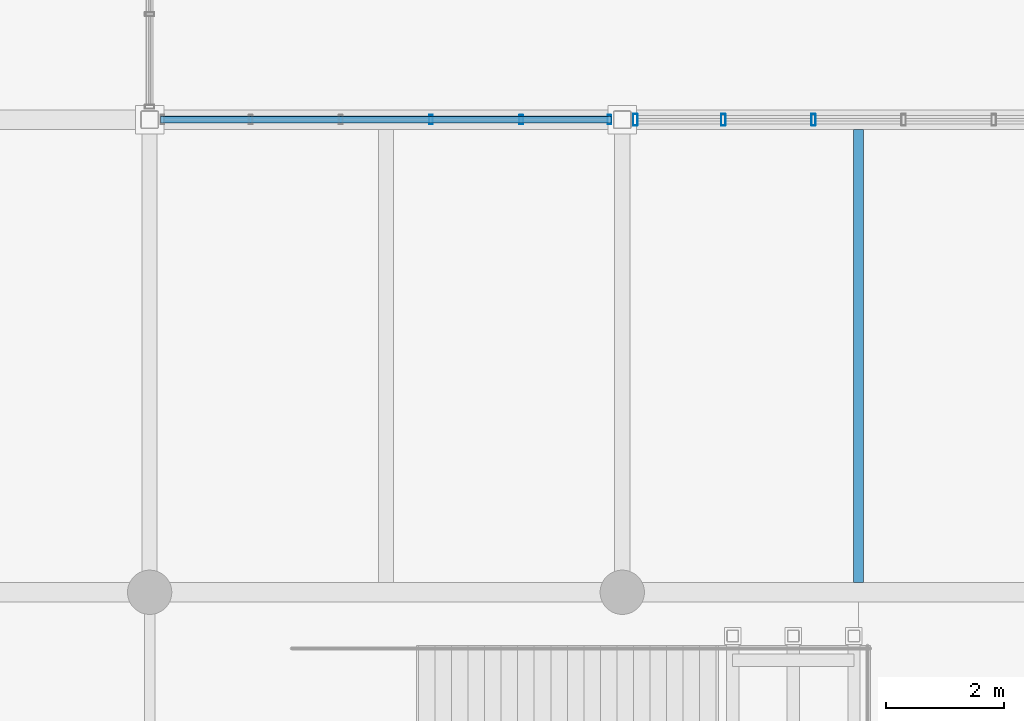
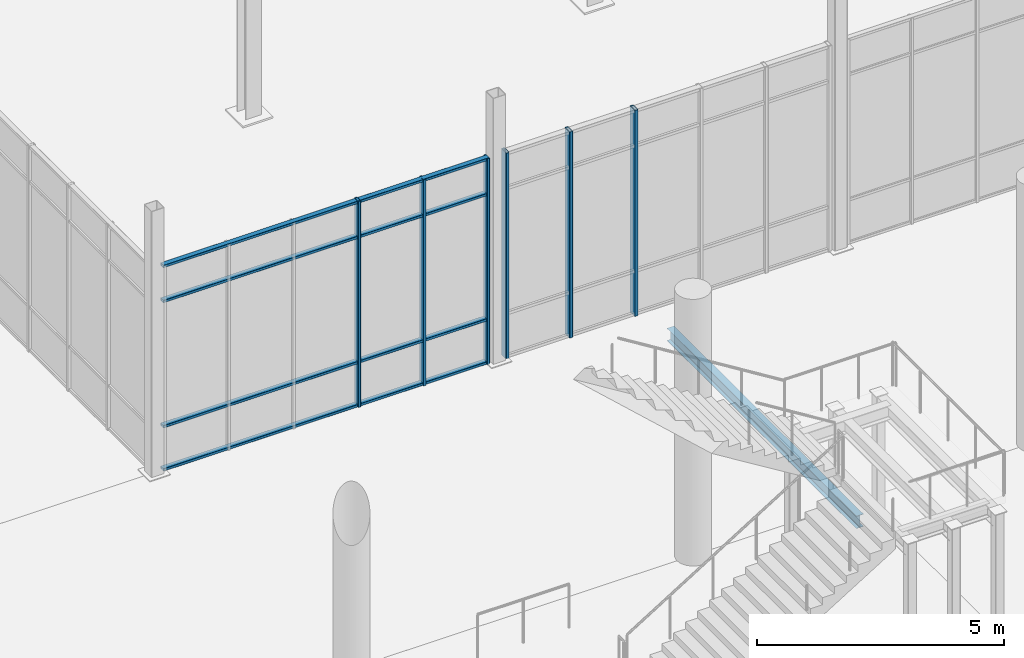
# One storey, part 36 of 140: 10 members, 1 beam, 2 elements without a shape of their own.
"""IFC4 building model written with IfcOpenShell, lengths in metres."""

from ifc_helpers import new_model, si_unit, direction, frame, origin, origin_2d, place, context, subcontext, project, spatial, hollow_rectangle, i_section, extrude, material, material_profile, profile_set, type_object, element, aggregate, save


model = new_model("IFC4")

# Units and contexts
model_context = context("Model", 3, precision=1e-05, world=origin(), true_north=direction((0.0, 1.0)))
body_context = subcontext(model_context, "Body", "Model", "MODEL_VIEW")
ifc_project = project(units=[si_unit("LENGTHUNIT", "METRE"), si_unit("AREAUNIT", "SQUARE_METRE"), si_unit("VOLUMEUNIT", "CUBIC_METRE"), si_unit("PLANEANGLEUNIT", "RADIAN"), si_unit("MASSUNIT", "GRAM", prefix="KILO")], contexts=[model_context])

# Site, building, storey
site_placement = place(None, origin())
site = spatial("IfcSite", under=ifc_project, at=site_placement, CompositionType="ELEMENT")
building_placement = place(site_placement, origin())
building = spatial("IfcBuilding", under=site, at=building_placement, Name="Verrall Gate Interchange", CompositionType="ELEMENT")
storey_placement = place(building_placement, origin())
storey = spatial("IfcBuildingStorey", under=building, at=storey_placement, Name="L01", CompositionType="ELEMENT", Elevation=0.0)

# Curtain wall, members
ifc_material_1 = material(Name="Thermally Broken Anodized Aluminium Curtain Wall Framing", Category="aluminium")
curtain_wall_type = type_object("IfcCurtainWallType", Name="CW-06 Unitized Curtain Wall 7631x5100", PredefinedType="NOTDEFINED", material=ifc_material_1)
curtain_wall_1_placement = place(storey_placement, origin())
curtain_wall_1 = element("IfcCurtainWall", 1, at=curtain_wall_1_placement, inside=storey, type_object=curtain_wall_type, Name="L01 Unitized Curtain Wall CW-L01-020", PredefinedType="NOTDEFINED")
ifc_material_2 = material(Name="Thermally Broken Anodized Aluminium Curtain Wall Framing", Category="aluminium")
ifc_material_profile_1 = material_profile(ifc_material_2, hollow_rectangle(XDim=0.06494140625, YDim=0.159912109375, WallThickness=0.00390625, InnerFilletRadius=0.00390625, OuterFilletRadius=0.008056640625, at=origin_2d()), Name="CWM160x65x4")
ifc_profile_set_1 = profile_set([ifc_material_profile_1], Name="Thermally Broken Anodized Aluminium Curtain Wall Framing")
member_type_1 = type_object("IfcMemberType", Name="CM-01 Curtain Mullion CWM160x65x4", PredefinedType="MULLION", material=ifc_profile_set_1)
member_1_placement = place(storey_placement, frame((67.782958984375, 56.0, 0.0), z_axis=(0.0, 0.0, 1.0), x_axis=(-1.0, 0.0, 0.0)))
member_1 = element("IfcMember", 2, at=member_1_placement, type_object=member_type_1, Name="CW-L01-020 Mullion 1", PredefinedType="MULLION", context=body_context, shape_type="SweptSolid", body=[
    extrude(hollow_rectangle(XDim=0.06494140625, YDim=0.159912109375, WallThickness=0.00390625, InnerFilletRadius=0.00390625, OuterFilletRadius=0.008056640625, at=origin_2d()), origin(), (0.0, 0.0, 1.0), 5.10009765625),
])
member_2_placement = place(storey_placement, frame((66.289306640625, 56.0, 0.0), z_axis=(0.0, 0.0, 1.0), x_axis=(-1.0, 0.0, 0.0)))
member_2 = element("IfcMember", 3, at=member_2_placement, type_object=member_type_1, Name="CW-L01-020 Mullion 2", PredefinedType="MULLION", context=body_context, shape_type="SweptSolid", body=[
    extrude(hollow_rectangle(XDim=0.06494140625, YDim=0.159912109375, WallThickness=0.00390625, InnerFilletRadius=0.00390625, OuterFilletRadius=0.008056640625, at=origin_2d()), origin(), (0.0, 0.0, 1.0), 5.10009765625),
])
member_3_placement = place(storey_placement, frame((64.76318359375, 56.0, 0.0), z_axis=(0.0, 0.0, 1.0), x_axis=(-1.0, 0.0, 0.0)))
member_3 = element("IfcMember", 4, at=member_3_placement, type_object=member_type_1, Name="CW-L01-020 Mullion 3", PredefinedType="MULLION", context=body_context, shape_type="SweptSolid", body=[
    extrude(hollow_rectangle(XDim=0.06494140625, YDim=0.159912109375, WallThickness=0.00390625, InnerFilletRadius=0.00390625, OuterFilletRadius=0.008056640625, at=origin_2d()), origin(), (0.0, 0.0, 1.0), 5.10009765625),
])

curtain_wall_2_placement = place(storey_placement, origin())
curtain_wall_2 = element("IfcCurtainWall", 5, at=curtain_wall_2_placement, inside=storey, type_object=curtain_wall_type, Name="L01 Unitized Curtain Wall CW-L01-019", PredefinedType="NOTDEFINED")
ifc_material_3 = material(Name="Thermally Broken Anodized Aluminium Curtain Wall Framing", Category="aluminium")
ifc_material_profile_2 = material_profile(ifc_material_3, hollow_rectangle(XDim=0.074951171875, YDim=0.199951171875, WallThickness=0.0048828125, InnerFilletRadius=0.0048828125, OuterFilletRadius=0.010009765625, at=origin_2d()), Name="CWM200x75x5")
ifc_profile_set_2 = profile_set([ifc_material_profile_2], Name="Thermally Broken Anodized Aluminium Curtain Wall Framing")
member_type_2 = type_object("IfcMemberType", Name="CM-02 Curtain Mullion CWM200x75x5", PredefinedType="MULLION", material=ifc_profile_set_2)
member_4_placement = place(storey_placement, frame((71.23681640625, 56.0, 0.0), z_axis=(0.0, 0.0, 1.0), x_axis=(-1.0, 0.0, 0.0)))
member_4 = element("IfcMember", 6, at=member_4_placement, type_object=member_type_2, Name="CW-L01-019 Mullion 4", PredefinedType="MULLION", context=body_context, shape_type="SweptSolid", body=[
    extrude(hollow_rectangle(XDim=0.074951171875, YDim=0.199951171875, WallThickness=0.0048828125, InnerFilletRadius=0.0048828125, OuterFilletRadius=0.010009765625, at=origin_2d()), origin(), (0.0, 0.0, 1.0), 5.10009765625),
])
member_5_placement = place(storey_placement, frame((69.710693359375, 56.0, 0.0), z_axis=(0.0, 0.0, 1.0), x_axis=(-1.0, 0.0, 0.0)))
member_5 = element("IfcMember", 7, at=member_5_placement, type_object=member_type_2, Name="CW-L01-019 Mullion 5", PredefinedType="MULLION", context=body_context, shape_type="SweptSolid", body=[
    extrude(hollow_rectangle(XDim=0.074951171875, YDim=0.199951171875, WallThickness=0.0048828125, InnerFilletRadius=0.0048828125, OuterFilletRadius=0.010009765625, at=origin_2d()), origin(), (0.0, 0.0, 1.0), 5.10009765625),
])
member_6_placement = place(storey_placement, frame((68.221923828125, 56.0, 0.0), z_axis=(0.0, 0.0, 1.0), x_axis=(-1.0, 0.0, 0.0)))
member_6 = element("IfcMember", 8, at=member_6_placement, type_object=member_type_2, Name="CW-L01-019 Mullion 6", PredefinedType="MULLION", context=body_context, shape_type="SweptSolid", body=[
    extrude(hollow_rectangle(XDim=0.074951171875, YDim=0.199951171875, WallThickness=0.0048828125, InnerFilletRadius=0.0048828125, OuterFilletRadius=0.010009765625, at=origin_2d()), origin(), (0.0, 0.0, 1.0), 5.10009765625),
])
aggregate(curtain_wall_2, [member_4, member_5, member_6])

# Member
ifc_material_4 = material(Name="Thermally Broken Anodized Aluminium Curtain Wall Framing", Category="aluminium")
ifc_material_profile_3 = material_profile(ifc_material_4, hollow_rectangle(XDim=0.1201171875, YDim=0.06494140625, WallThickness=0.00390625, InnerFilletRadius=0.00390625, OuterFilletRadius=0.008056640625, at=origin_2d()), Name="CWT120x65x4")
ifc_profile_set_3 = profile_set([ifc_material_profile_3], Name="Thermally Broken Anodized Aluminium Curtain Wall Framing")
member_type_3 = type_object("IfcMemberType", Name="CT-01 Curtain Transom CWT120x65x4", PredefinedType="USERDEFINED", material=ifc_profile_set_3)
member_7_placement = place(storey_placement, frame((67.8154296875, 56.0, 0.032470703125), z_axis=(-1.0, 0.0, 0.0), x_axis=(0.0, -1.0, 0.0)))
member_7 = element("IfcMember", 9, at=member_7_placement, type_object=member_type_3, Name="CW-L01-020 Transom 1", ObjectType="TRANSOM", PredefinedType="USERDEFINED", context=body_context, shape_type="SweptSolid", body=[
    extrude(hollow_rectangle(XDim=0.1201171875, YDim=0.06494140625, WallThickness=0.00390625, InnerFilletRadius=0.00390625, OuterFilletRadius=0.008056640625, at=origin_2d()), origin(), (0.0, 0.0, 1.0), 7.630859375),
])

member_8_placement = place(storey_placement, frame((67.8154296875, 56.0, 1.10009765625), z_axis=(-1.0, 0.0, 0.0), x_axis=(0.0, -1.0, 0.0)))
member_8 = element("IfcMember", 10, at=member_8_placement, type_object=member_type_3, Name="CW-L01-020 Transom 2", ObjectType="TRANSOM", PredefinedType="USERDEFINED", context=body_context, shape_type="SweptSolid", body=[
    extrude(hollow_rectangle(XDim=0.1201171875, YDim=0.06494140625, WallThickness=0.00390625, InnerFilletRadius=0.00390625, OuterFilletRadius=0.008056640625, at=origin_2d()), origin(), (0.0, 0.0, 1.0), 7.630859375),
])

member_9_placement = place(storey_placement, frame((67.8154296875, 56.0, 4.199951171875), z_axis=(-1.0, 0.0, 0.0), x_axis=(0.0, -1.0, 0.0)))
member_9 = element("IfcMember", 11, at=member_9_placement, type_object=member_type_3, Name="CW-L01-020 Transom 3", ObjectType="TRANSOM", PredefinedType="USERDEFINED", context=body_context, shape_type="SweptSolid", body=[
    extrude(hollow_rectangle(XDim=0.1201171875, YDim=0.06494140625, WallThickness=0.00390625, InnerFilletRadius=0.00390625, OuterFilletRadius=0.008056640625, at=origin_2d()), origin(), (0.0, 0.0, 1.0), 7.630859375),
])

member_10_placement = place(storey_placement, frame((67.8154296875, 56.0, 5.0673828125), z_axis=(-1.0, 0.0, 0.0), x_axis=(0.0, -1.0, 0.0)))
member_10 = element("IfcMember", 12, at=member_10_placement, type_object=member_type_3, Name="CW-L01-020 Transom 4", ObjectType="TRANSOM", PredefinedType="USERDEFINED", context=body_context, shape_type="SweptSolid", body=[
    extrude(hollow_rectangle(XDim=0.1201171875, YDim=0.06494140625, WallThickness=0.00390625, InnerFilletRadius=0.00390625, OuterFilletRadius=0.008056640625, at=origin_2d()), origin(), (0.0, 0.0, 1.0), 7.630859375),
])

aggregate(curtain_wall_1, [member_1, member_2, member_3, member_7, member_8, member_9, member_10])

# Beam
ifc_material_5 = material(Name="Structural Steel CSA G40.21 350W", Category="steel")
ifc_material_profile_4 = material_profile(ifc_material_5, i_section(OverallWidth=0.1650390625, OverallDepth=0.31005859375, WebThickness=0.005859375, FlangeThickness=0.009765625, FilletRadius=0.010009765625, at=origin_2d()), Name="W310x39")
ifc_profile_set_4 = profile_set([ifc_material_profile_4], Name="Structural Steel CSA G40.21 350W")
beam_type = type_object("IfcBeamType", Name="J-04 Floor Joist W310x39", PredefinedType="JOIST", material=ifc_profile_set_4)
beam_placement = place(storey_placement, frame((72.0, 48.162109375, -0.655029296875), z_axis=(0.0, 1.0, 0.0), x_axis=(-1.0, 0.0, 0.0)))
element("IfcBeam", 13, at=beam_placement, inside=storey, type_object=beam_type, Name="L01 Secondary Floor Joist JST-L01-1407", PredefinedType="JOIST", context=body_context, shape_type="SweptSolid", body=[
    extrude(i_section(OverallWidth=0.1650390625, OverallDepth=0.31005859375, WebThickness=0.005859375, FlangeThickness=0.009765625, FilletRadius=0.010009765625, at=origin_2d()), origin(), (0.0, 0.0, 1.0), 7.67578125),
])

save(model, "model.ifc")
